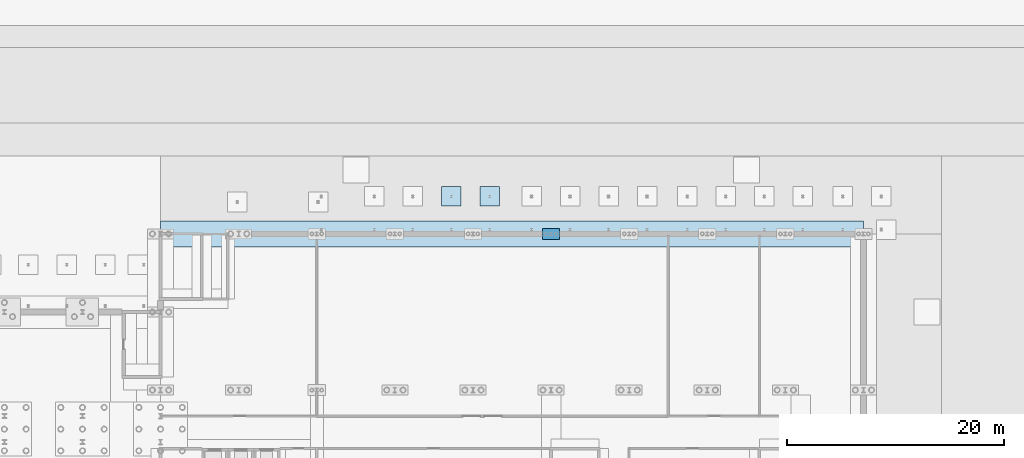
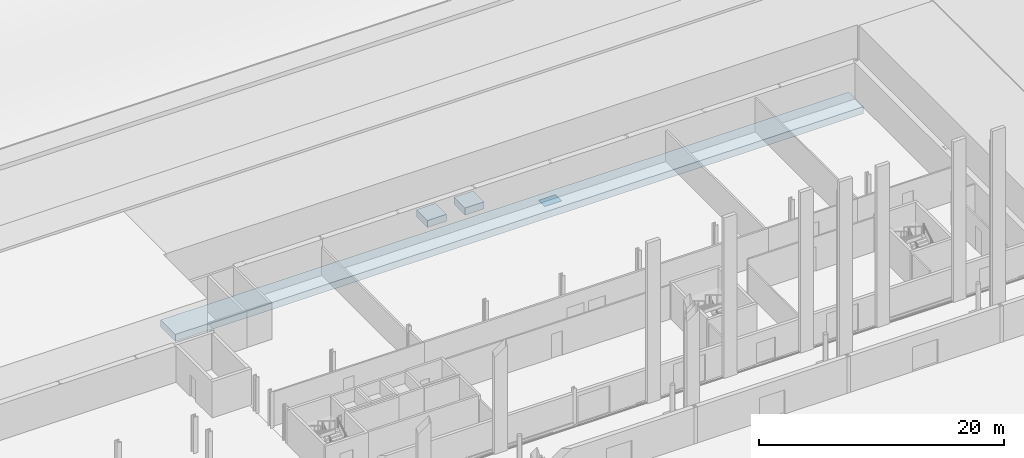
# One storey, part 32 of 148: 4 footings.
"""IFC4 building model written with IfcOpenShell, lengths in metres."""

import ifcopenshell
import ifcopenshell.guid

model = None  # the IFC model being written
_history = None  # IfcOwnerHistory: only IFC2X3 demands one
_inside = {}  # id of a spatial element -> (the spatial element, [elements in it])
_under = {}  # id of a project, library or spatial element -> (it, [spatial elements below it])
_declared = {}  # id of a project -> (the project, [libraries it declares])
_typed = {}  # id of a type object -> (the type object, [elements of that type])
_made_of = {}  # id of a material, layer set ... -> (it, [elements and type objects made of it])


def new_model(schema):
    """Start an empty IFC model of exactly this schema.

    Asked for "IFC4X3", IfcOpenShell would pick the latest addendum, in which some entities
    have other attributes; the version numbers below select the first issue.
    IFC2X3 requires an IfcOwnerHistory on every rooted entity: one is made here for all.
    """
    global model, _history
    if schema == "IFC4X3":
        model = ifcopenshell.file(schema_version=(4, 3, 0, 0))
    else:
        model = ifcopenshell.file(schema=schema)
    _inside.clear()
    _under.clear()
    _declared.clear()
    _typed.clear()
    _made_of.clear()
    _history = None
    if model.schema == "IFC2X3":
        org = make("IfcOrganization", Name="unknown")
        user = make(
            "IfcPersonAndOrganization",
            ThePerson=make("IfcPerson", FamilyName="unknown"),
            TheOrganization=org,
        )
        app = make(
            "IfcApplication",
            ApplicationDeveloper=org,
            Version="unknown",
            ApplicationFullName="unknown",
            ApplicationIdentifier="unknown",
        )
        _history = make(
            "IfcOwnerHistory",
            OwningUser=user,
            OwningApplication=app,
            ChangeAction="ADDED",
            CreationDate=0,
        )
    return model


def make(cls, **values):
    """One entity of the class cls with the attributes given. An attribute that is None is left unset."""
    return model.create_entity(
        cls, **{name: value for name, value in values.items() if value is not None}
    )


def rooted(cls, **values):
    """An entity with a GlobalId (a new one), such as an element, a storey or a relation."""
    return make(cls, GlobalId=ifcopenshell.guid.new(), OwnerHistory=_history, **values)


def si_unit(unit_type, name, prefix=None):
    """IfcSIUnit, for example si_unit("LENGTHUNIT", "METRE", prefix="MILLI")."""
    return make("IfcSIUnit", UnitType=unit_type, Prefix=prefix, Name=name)


def assignment(units):
    """IfcUnitAssignment: the units of a project."""
    return None if units is None else make("IfcUnitAssignment", Units=units)


def point(xyz):
    """IfcCartesianPoint."""
    return None if xyz is None else make("IfcCartesianPoint", Coordinates=xyz)


def direction(xyz):
    """IfcDirection."""
    return None if xyz is None else make("IfcDirection", DirectionRatios=xyz)


def frame(location, z_axis=None, x_axis=None):
    """IfcAxis2Placement3D, a coordinate frame: its origin and axes. An axis left out is left unset."""
    return make(
        "IfcAxis2Placement3D",
        Location=point(location),
        Axis=direction(z_axis),
        RefDirection=direction(x_axis),
    )


def frame_2d(location, x_axis=None):
    """IfcAxis2Placement2D, a coordinate frame in the plane: its origin and x axis."""
    return make(
        "IfcAxis2Placement2D", Location=point(location), RefDirection=direction(x_axis)
    )


def origin():
    """The frame at (0, 0, 0) with its axes left unset."""
    return frame((0.0, 0.0, 0.0))


def origin_2d():
    """The frame at (0, 0) in the plane with its x axis left unset."""
    return frame_2d((0.0, 0.0))


def place(relative_to, where):
    """IfcLocalPlacement: puts the frame where relative to a parent placement (None: the world)."""
    return make(
        "IfcLocalPlacement", PlacementRelTo=relative_to, RelativePlacement=where
    )


def context(
    kind, dimensions, precision=None, world=None, true_north=None, identifier=None
):
    """IfcGeometricRepresentationContext, for example the 3D "Model" context."""
    return make(
        "IfcGeometricRepresentationContext",
        ContextIdentifier=identifier,
        ContextType=kind,
        CoordinateSpaceDimension=dimensions,
        Precision=precision,
        WorldCoordinateSystem=world,
        TrueNorth=true_north,
    )


def subcontext(parent, identifier, kind, view, scale=None):
    """IfcGeometricRepresentationSubContext, for example "Body" below "Model"."""
    return make(
        "IfcGeometricRepresentationSubContext",
        ContextIdentifier=identifier,
        ContextType=kind,
        ParentContext=parent,
        TargetScale=scale,
        TargetView=view,
    )


def project(units=None, contexts=None):
    """IfcProject with its units and contexts."""
    return rooted(
        "IfcProject",
        Name="project",
        RepresentationContexts=contexts,
        UnitsInContext=assignment(units),
    )


def spatial(cls, under=None, at=None, **own):
    """A site, building, storey or space (cls), placed at a placement, below another one or the project."""
    s = rooted(cls, ObjectPlacement=at, **own)
    if under is not None:
        _under.setdefault(under.id(), (under, []))[1].append(s)
    return s


def profile(cls, at=None, kind="AREA", **sizes):
    """A parametric profile (cls). Its sizes go by their IFC names, for example OverallWidth=200.0."""
    return make(cls, ProfileType=kind, Position=at, **sizes)


def rectangle(**sizes):
    """IfcRectangleProfileDef."""
    return profile("IfcRectangleProfileDef", **sizes)


def extrude(swept, where, along, depth):
    """IfcExtrudedAreaSolid: the profile swept, set in the frame where, extruded along a direction by depth."""
    return make(
        "IfcExtrudedAreaSolid",
        SweptArea=swept,
        Position=where,
        ExtrudedDirection=direction(along),
        Depth=depth,
    )


def shape(context_of_items, identifier, shape_type, items):
    """IfcShapeRepresentation: the items that make up one representation, for example the "Body"."""
    return make(
        "IfcShapeRepresentation",
        ContextOfItems=context_of_items,
        RepresentationIdentifier=identifier,
        RepresentationType=shape_type,
        Items=items,
    )


def material(Name=None, Category=None):
    """IfcMaterial."""
    return make("IfcMaterial", Name=Name, Category=Category)


def layer(
    of_material, thickness, ventilated=None, Name=None, Category=None, Priority=None
):
    """IfcMaterialLayer: one layer of a wall or slab, of a material (None: an air gap)."""
    return make(
        "IfcMaterialLayer",
        Material=of_material,
        LayerThickness=thickness,
        IsVentilated=ventilated,
        Name=Name,
        Category=Category,
        Priority=Priority,
    )


def layer_set(layers, Name=None):
    """IfcMaterialLayerSet."""
    return make("IfcMaterialLayerSet", MaterialLayers=layers, LayerSetName=Name)


def made_of(thing, what):
    """Note that an element or type object is made of a material, layer set ...; save() writes the relation."""
    if what is not None:
        _made_of.setdefault(what.id(), (what, []))[1].append(thing)
    return thing


def type_object(cls, material=None, **own):
    """A type object (cls), such as IfcWallType, which elements share."""
    return made_of(rooted(cls, **own), material)


def element(
    cls,
    number,
    at=None,
    inside=None,
    cuts=None,
    type_object=None,
    material=None,
    context=None,
    identifier="Body",
    shape_type=None,
    held_by="IfcProductDefinitionShape",
    body=None,
    shapes=None,
    **own,
):
    """One element of the class cls, such as IfcWall. Its Tag is "e" and its number.

    at: its placement. inside: the storey or other place that contains it. cuts: it is an
    opening in that element (IfcRelVoidsElement). A single representation is given by context,
    identifier, shape_type and body (its items); several are given by shapes. held_by: the class
    of the entity that holds the representations. save() writes the other relations.
    """
    e = rooted(cls, Tag="e%d" % number, ObjectPlacement=at, **own)
    if body is not None:
        shapes = [shape(context, identifier, shape_type, body)]
    if shapes is not None:
        e.Representation = make(held_by, Representations=shapes)
    if inside is not None:
        _inside.setdefault(inside.id(), (inside, []))[1].append(e)
    if cuts is not None:
        rooted(
            "IfcRelVoidsElement", RelatingBuildingElement=cuts, RelatedOpeningElement=e
        )
    if type_object is not None:
        _typed.setdefault(type_object.id(), (type_object, []))[1].append(e)
    return made_of(e, material)


def aggregate(whole, parts):
    """IfcRelAggregates: a whole, such as a stair, and the parts it consists of."""
    return rooted("IfcRelAggregates", RelatingObject=whole, RelatedObjects=parts)


def save(model, path):
    """Write the relations noted so far, then the file.

    IfcRelAggregates (storeys below a building ...), IfcRelContainedInSpatialStructure (elements
    in a storey), IfcRelDefinesByType, IfcRelAssociatesMaterial and IfcRelDeclares: one each for
    every whole, place, type object, material and project.
    """
    for whole, parts in _under.values():
        aggregate(whole, parts)
    for where, things in _inside.values():
        rooted(
            "IfcRelContainedInSpatialStructure",
            RelatedElements=things,
            RelatingStructure=where,
        )
    for kind, things in _typed.values():
        rooted("IfcRelDefinesByType", RelatedObjects=things, RelatingType=kind)
    for what, things in _made_of.values():
        rooted("IfcRelAssociatesMaterial", RelatedObjects=things, RelatingMaterial=what)
    for by, libraries in _declared.values():
        rooted("IfcRelDeclares", RelatingContext=by, RelatedDefinitions=libraries)
    model.write(path)


model = new_model("IFC4")

# Units and contexts
model_context = context("Model", 3, precision=1e-05, world=origin(), true_north=direction((0.0, 1.0)))
body_context = subcontext(model_context, "Body", "Model", "MODEL_VIEW")
ifc_project = project(units=[si_unit("LENGTHUNIT", "METRE"), si_unit("AREAUNIT", "SQUARE_METRE"), si_unit("VOLUMEUNIT", "CUBIC_METRE"), si_unit("PLANEANGLEUNIT", "RADIAN"), si_unit("MASSUNIT", "GRAM", prefix="KILO")], contexts=[model_context])

# Site, building, storey
site_placement = place(None, origin())
site = spatial("IfcSite", under=ifc_project, at=site_placement, CompositionType="ELEMENT")
building_placement = place(site_placement, origin())
building = spatial("IfcBuilding", under=site, at=building_placement, Name="Kupolbacken Congress Centre", CompositionType="ELEMENT")
storey_placement = place(building_placement, origin())
storey = spatial("IfcBuildingStorey", under=building, at=storey_placement, Name="L00", CompositionType="ELEMENT", Elevation=0.0)

# Footings
ifc_material_1 = material(Name="Concrete C30/37", Category="concrete")
ifc_layer_1 = layer(ifc_material_1, 0.89990234375)
ifc_layer_set_1 = layer_set([ifc_layer_1], Name="Concrete C30/37")
footing_type_1 = type_object("IfcFootingType", Name="PC7 pile cap 1.60 x 1.00 x 0.90 m", PredefinedType="PILE_CAP", material=ifc_layer_set_1)
footing_1_placement = place(storey_placement, frame((172.800048828125, 151.199951171875, -1.199951171875), z_axis=(0.0, 0.0, 1.0), x_axis=(1.0, 0.0, 0.0)))
element("IfcFooting", 1, at=footing_1_placement, inside=storey, type_object=footing_type_1, Name="S/fnd/C-B-B4N/cap", PredefinedType="PILE_CAP", context=body_context, shape_type="SweptSolid", body=[
    extrude(rectangle(XDim=1.60009765625, YDim=1.0, at=origin_2d()), origin(), (0.0, 0.0, 1.0), 0.89990234375),
])
ifc_material_2 = material(Name="Concrete C30/37", Category="concrete")
ifc_layer_2 = layer(ifc_material_2, 0.699951171875)
ifc_layer_set_2 = layer_set([ifc_layer_2], Name="Concrete C30/37")
footing_type_2 = type_object("IfcFootingType", Name="PD4 pad footing 1.80 x 1.80 x 0.70 m", PredefinedType="PAD_FOOTING", material=ifc_layer_set_2)
for number, where, z_axis, x_axis, name in (
    (2, (163.60009765625, 154.64990234375, -1.0), (0.0, 0.0, 1.0), (1.0, 0.0, 0.0), "C/passage/B/padN03"),
    (3, (167.14990234375, 154.64990234375, -1.0), (0.0, 0.0, 1.0), (1.0, 0.0, 0.0), "C/passage/B/padN04"),
):
    element("IfcFooting", number, at=place(storey_placement, frame(where, z_axis=z_axis, x_axis=x_axis)), inside=storey, type_object=footing_type_2, Name=name, PredefinedType="PAD_FOOTING", context=body_context, shape_type="SweptSolid", body=[
        extrude(rectangle(XDim=1.800048828125, YDim=1.800048828125, at=origin_2d()), origin(), (0.0, 0.0, 1.0), 0.699951171875),
    ])
ifc_material_3 = material(Name="Concrete C30/37", Category="concrete")
ifc_layer_3 = layer(ifc_material_3, 0.699951171875)
ifc_layer_set_3 = layer_set([ifc_layer_3], Name="Concrete C30/37")
footing_type_3 = type_object("IfcFootingType", Name="SF3 strip footing 2.40 x 0.70 m", PredefinedType="STRIP_FOOTING", material=ifc_layer_set_3)
footing_2_placement = place(storey_placement, frame((169.199951171875, 151.199951171875, -1.0), z_axis=(0.0, 0.0, 1.0), x_axis=(1.0, 0.0, 0.0)))
element("IfcFooting", 4, at=footing_2_placement, inside=storey, type_object=footing_type_3, Name="S/fnd/buried/BF02", PredefinedType="STRIP_FOOTING", context=body_context, shape_type="SweptSolid", body=[
    extrude(rectangle(XDim=64.800048828125, YDim=2.39990234375, at=origin_2d()), origin(), (0.0, 0.0, 1.0), 0.699951171875),
])

save(model, "model.ifc")
